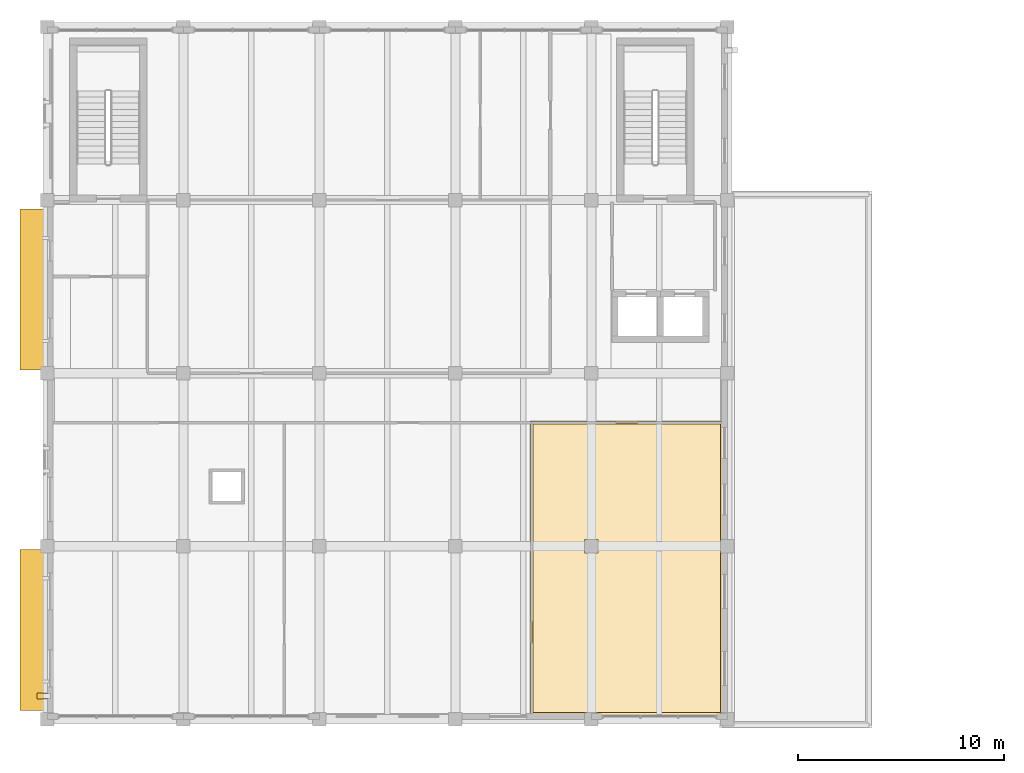
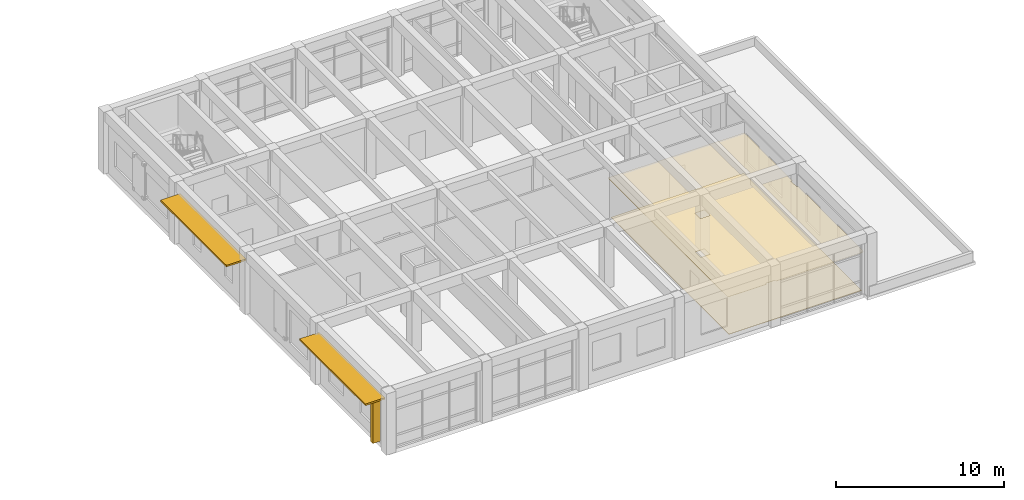
# One storey, part 41 of 50: 3 shading devices, 2 coverings.
"""IFC4 building model written with IfcOpenShell, lengths in metres."""

from ifc_helpers import new_model, si_unit, direction, frame, origin, origin_2d, place, context, subcontext, project, spatial, polyline, rectangle, outline, extrude, material, layer, layer_set, type_object, element, save


model = new_model("IFC4")

# Units and contexts
model_context = context("Model", 3, precision=1e-05, world=origin(), true_north=direction((0.0, 1.0)))
body_context = subcontext(model_context, "Body", "Model", "MODEL_VIEW")
ifc_project = project(units=[si_unit("LENGTHUNIT", "METRE"), si_unit("AREAUNIT", "SQUARE_METRE"), si_unit("VOLUMEUNIT", "CUBIC_METRE"), si_unit("PLANEANGLEUNIT", "RADIAN"), si_unit("MASSUNIT", "GRAM", prefix="KILO")], contexts=[model_context])

# Site, building, storey
site_placement = place(None, origin())
site = spatial("IfcSite", under=ifc_project, at=site_placement, CompositionType="ELEMENT")
building_placement = place(site_placement, origin())
building = spatial("IfcBuilding", under=site, at=building_placement, Name="Kolvaren Faculty of Natural Sciences", CompositionType="ELEMENT")
storey_placement = place(building_placement, frame((0.0, 0.0, 15.0)))
storey = spatial("IfcBuildingStorey", under=building, at=storey_placement, Name="L03", CompositionType="ELEMENT", Elevation=15.0)

# Covering
ifc_material_1 = material(Name="Perforated mineral-fibre acoustic suspended ceiling tile")
ifc_layer_1 = layer(ifc_material_1, 0.02490234375)
ifc_layer_set_1 = layer_set([ifc_layer_1], Name="Perforated mineral-fibre acoustic suspended ceiling tile")
covering_type_1 = type_object("IfcCoveringType", Name="AcousticSuspendedCeiling_25", PredefinedType="CEILING", material=ifc_layer_set_1)
covering_1_placement = place(storey_placement, frame((0.0, 0.0, 2.824951171875)))
element("IfcCovering", 1, at=covering_1_placement, inside=storey, type_object=covering_type_1, Name="L03 L03 Lab Tutorial Seminar Room acoustic ceiling", PredefinedType="CEILING", context=body_context, shape_type="SweptSolid", body=[
    extrude(outline(polyline([(39.580078125, 23.080078125), (39.580078125, 17.324951171875), (39.47509765625, 17.324951171875), (39.47509765625, 16.675048828125), (39.580078125, 16.675048828125), (39.580078125, 8.925048828125), (39.47509765625, 8.925048828125), (39.47509765625, 8.820068359375), (33.52490234375, 8.820068359375), (33.52490234375, 8.925048828125), (32.875, 8.925048828125), (32.875, 8.820068359375), (30.219970703125, 8.820068359375), (30.219970703125, 23.080078125), (39.580078125, 23.080078125)]), holes=[polyline([(32.875, 16.675048828125), (33.52490234375, 16.675048828125), (33.52490234375, 17.324951171875), (32.875, 17.324951171875), (32.875, 16.675048828125)])]), origin(), (0.0, 0.0, 1.0), 0.025146484375),
])

# Shading devices
ifc_material_2 = material(Name="Precast concrete C35/45", Category="concrete")
ifc_layer_2 = layer(ifc_material_2, 0.1201171875)
ifc_layer_set_2 = layer_set([ifc_layer_2], Name="Precast concrete C35/45")
shading_device_type_1 = type_object("IfcShadingDeviceType", Name="ChhajjaSolarHood_1350", PredefinedType="AWNING", material=ifc_layer_set_2)
for number, where, z_axis, x_axis, name in (
    (2, (6.14501953125, 12.93994140625, 3.494873046875), (0.0, 0.0, 1.0), (0.0, 1.0, 0.0), "L03 precast sandstone chhajja solar hood 111"),
    (3, (6.14501953125, 29.4599609375, 3.544921875), (0.0, 0.0, 1.0), (0.0, 1.0, 0.0), "L03 precast sandstone chhajja solar hood 112"),
):
    element("IfcShadingDevice", number, at=place(storey_placement, frame(where, z_axis=z_axis, x_axis=x_axis)), inside=storey, type_object=shading_device_type_1, Name=name, PredefinedType="AWNING", context=body_context, shape_type="SweptSolid", body=[
        extrude(rectangle(XDim=7.820068359375, YDim=1.35009765625, at=origin_2d()), origin(), (0.0, 0.0, 1.0), 0.1201171875),
    ])
ifc_layer_3 = layer(ifc_material_2, 0.280029296875)
ifc_layer_set_3 = layer_set([ifc_layer_3], Name="Precast concrete C35/45")
shading_device_type_2 = type_object("IfcShadingDeviceType", Name="FacadeReliefFin_280x520", PredefinedType="USERDEFINED", material=ifc_layer_set_3)
shading_device_placement = place(storey_placement, frame((6.56005859375, 9.72998046875, 0.119873046875), z_axis=(0.0, 0.0, 1.0), x_axis=(0.0, 1.0, 0.0)))
element("IfcShadingDevice", 4, at=shading_device_placement, inside=storey, type_object=shading_device_type_2, Name="L03 projecting sandstone facade relief fin 5", ObjectType="FIN", PredefinedType="USERDEFINED", context=body_context, shape_type="SweptSolid", body=[
    extrude(rectangle(XDim=0.280029296875, YDim=0.52001953125, at=origin_2d()), origin(), (0.0, 0.0, 1.0), 3.455078125),
])

# Covering
ifc_material_3 = material(Name="Polished Uruguayan grey granite terrazzo flooring", Category="masonry")
ifc_layer_4 = layer(ifc_material_3, 0.030029296875)
ifc_layer_set_4 = layer_set([ifc_layer_4], Name="Polished Uruguayan grey granite terrazzo flooring")
covering_type_2 = type_object("IfcCoveringType", Name="TerrazzoFloorFinish_30", PredefinedType="FLOORING", material=ifc_layer_set_4)
covering_2_placement = place(storey_placement, origin())
element("IfcCovering", 5, at=covering_2_placement, inside=storey, type_object=covering_type_2, Name="L03 L03 Lab Tutorial Seminar Room floor finish", PredefinedType="FLOORING", context=body_context, shape_type="SweptSolid", body=[
    extrude(outline(polyline([(39.4599609375, 8.93994140625), (30.360107421875, 8.93994140625), (30.360107421875, 22.93994140625), (39.4599609375, 22.93994140625), (39.4599609375, 8.93994140625)]), holes=[polyline([(32.875, 16.675048828125), (33.52490234375, 16.675048828125), (33.52490234375, 17.324951171875), (32.875, 17.324951171875), (32.875, 16.675048828125)])]), origin(), (0.0, 0.0, 1.0), 0.030029296875),
])

save(model, "model.ifc")
